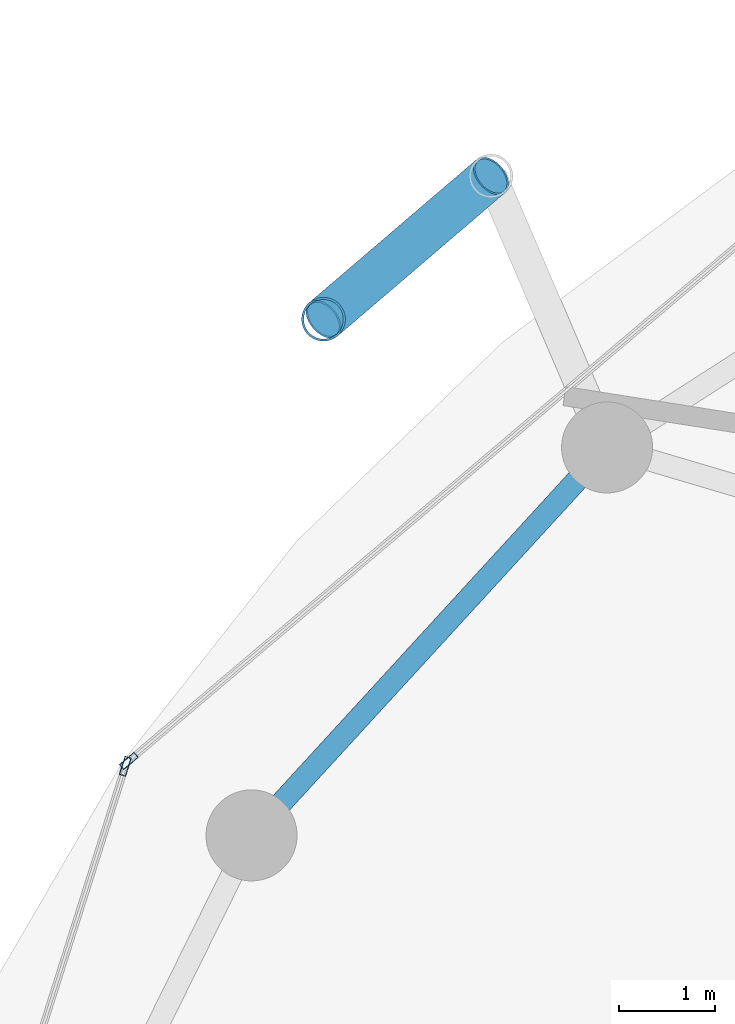
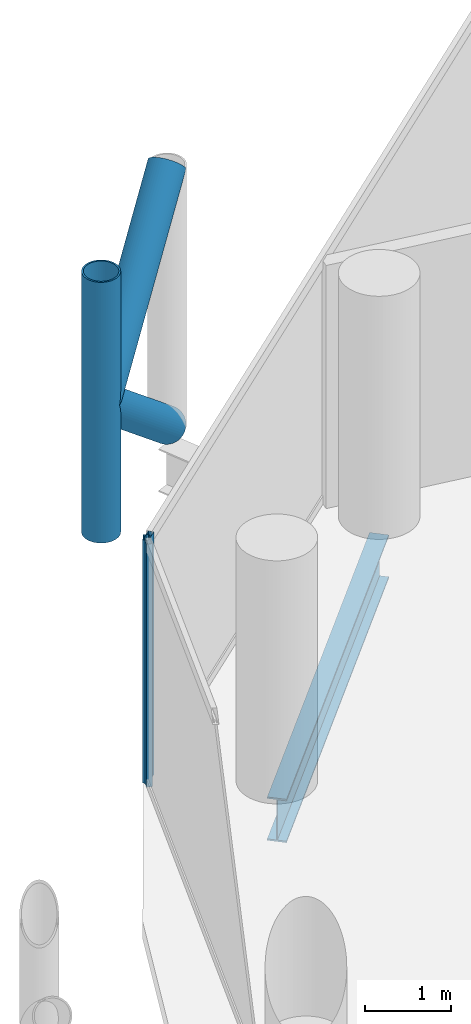
# One storey, part 13 of 26: 5 members, 1 beam, 2 elements without a shape of their own.
"""IFC4 building model written with IfcOpenShell, lengths in metres."""

from ifc_helpers import new_model, si_unit, direction, frame, origin, origin_2d, place, context, subcontext, project, spatial, hollow_rectangle, hollow_circle, i_section, extrude, material, layer, layer_set, material_profile, profile_set, type_object, element, aggregate, save


model = new_model("IFC4")

# Units and contexts
model_context = context("Model", 3, precision=1e-05, world=origin(), true_north=direction((0.0, 1.0)))
body_context = subcontext(model_context, "Body", "Model", "MODEL_VIEW")
ifc_project = project(units=[si_unit("LENGTHUNIT", "METRE"), si_unit("AREAUNIT", "SQUARE_METRE"), si_unit("VOLUMEUNIT", "CUBIC_METRE"), si_unit("PLANEANGLEUNIT", "RADIAN"), si_unit("MASSUNIT", "GRAM", prefix="KILO")], contexts=[model_context])

# Site, building, storey
site_placement = place(None, origin())
site = spatial("IfcSite", under=ifc_project, at=site_placement, CompositionType="ELEMENT")
building_placement = place(site_placement, origin())
building = spatial("IfcBuilding", under=site, at=building_placement, Name="Nuhasar Tower", CompositionType="ELEMENT")
storey_placement = place(building_placement, frame((0.0, 0.0, 140.449951171875)))
storey = spatial("IfcBuildingStorey", under=building, at=storey_placement, Name="L33", CompositionType="ELEMENT", Elevation=140.449951171875)

# Beam
ifc_material_1 = material(Name="Steel S355", Category="steel")
ifc_material_profile_1 = material_profile(ifc_material_1, i_section(OverallWidth=0.22998046875, OverallDepth=0.616943359375, WebThickness=0.01318359375, FlangeThickness=0.022216796875, at=origin_2d()), Name="W24X94")
ifc_profile_set_1 = profile_set([ifc_material_profile_1], Name="Steel S355")
beam_type = type_object("IfcBeamType", Name="BM-RING-W24X94", PredefinedType="SPANDREL", material=ifc_profile_set_1)
beam_placement = place(storey_placement, frame((22.489013671875, 40.6240234375, -0.558837890625), z_axis=(-0.675654174897, -0.737218716491, 0.0), x_axis=(0.737218716491, -0.675654174897, 0.0)))
element("IfcBeam", 1, at=beam_placement, inside=storey, type_object=beam_type, Name="L33 Perimeter Ring Spandrel 10", PredefinedType="SPANDREL", context=body_context, shape_type="SweptSolid", body=[
    extrude(i_section(OverallWidth=0.22998046875, OverallDepth=0.616943359375, WebThickness=0.01318359375, FlangeThickness=0.022216796875, at=origin_2d()), origin(), (0.0, 0.0, 1.0), 5.492431640625),
])

# Curtain wall, member
ifc_material_2 = material(Name="Aluminium 6063-T6", Category="aluminium")
ifc_layer = layer(ifc_material_2, 0.199951171875)
ifc_layer_set = layer_set([ifc_layer], Name="Aluminium 6063-T6")
curtain_wall_type = type_object("IfcCurtainWallType", Name="CW-Z2-HTL", PredefinedType="NOTDEFINED", material=ifc_layer_set)
curtain_wall_1_placement = place(storey_placement, origin())
curtain_wall_1 = element("IfcCurtainWall", 2, at=curtain_wall_1_placement, inside=storey, type_object=curtain_wall_type, Name="L33 Unitised Curtain Wall 05", PredefinedType="NOTDEFINED")
ifc_material_profile_2 = material_profile(ifc_material_2, hollow_rectangle(XDim=0.070068359375, YDim=0.199951171875, WallThickness=0.0048828125, at=origin_2d()), Name="CWM-3")
ifc_profile_set_2 = profile_set([ifc_material_profile_2], Name="Aluminium 6063-T6")
member_type_1 = type_object("IfcMemberType", Name="CW-MUL-S3", PredefinedType="MULLION", material=ifc_profile_set_2)
member_1_placement = place(storey_placement, frame((17.497802734375, 37.3525390625, 0.0), z_axis=(0.0, 0.0, 1.0), x_axis=(0.646374438324, -0.763020370292, 0.0)))
member_1 = element("IfcMember", 3, at=member_1_placement, type_object=member_type_1, Name="CW-Z2 mullion 2", PredefinedType="MULLION", context=body_context, shape_type="SweptSolid", body=[
    extrude(hollow_rectangle(XDim=0.070068359375, YDim=0.199951171875, WallThickness=0.0048828125, at=origin_2d()), origin(), (0.0, 0.0, 1.0), 3.449951171875),
])
aggregate(curtain_wall_1, [member_1])

curtain_wall_2_placement = place(storey_placement, origin())
curtain_wall_2 = element("IfcCurtainWall", 4, at=curtain_wall_2_placement, inside=storey, type_object=curtain_wall_type, Name="L33 Unitised Curtain Wall 06", PredefinedType="NOTDEFINED")
member_2_placement = place(storey_placement, frame((17.46044921875, 37.296630859375, 0.0), z_axis=(0.0, 0.0, 1.0), x_axis=(0.953433389233, -0.301603667577, 0.0)))
member_2 = element("IfcMember", 5, at=member_2_placement, type_object=member_type_1, Name="CW-Z2 mullion 1", PredefinedType="MULLION", context=body_context, shape_type="SweptSolid", body=[
    extrude(hollow_rectangle(XDim=0.070068359375, YDim=0.199951171875, WallThickness=0.0048828125, at=origin_2d()), origin(), (0.0, 0.0, 1.0), 3.449951171875),
])
aggregate(curtain_wall_2, [member_2])

# Members
ifc_material_3 = material(Name="Steel S460", Category="steel")
ifc_material_profile_3 = material_profile(ifc_material_3, hollow_circle(Radius=0.228515625, WallThickness=0.022216796875, at=origin_2d()), Name="HSS457X22.2")
ifc_profile_set_3 = profile_set([ifc_material_profile_3], Name="Steel S460")
member_type_2 = type_object("IfcMemberType", Name="EXO-BRONZE-457", PredefinedType="BRACE", material=ifc_profile_set_3)
member_3_placement = place(storey_placement, frame((19.529052734375, 41.9619140625, 0.0), z_axis=(0.0, 0.0, 1.0), x_axis=(1.0, 0.0, 0.0)))
element("IfcMember", 6, at=member_3_placement, inside=storey, type_object=member_type_2, Name="L33 Exoskeleton Chord Column EC-05B", PredefinedType="BRACE", context=body_context, shape_type="SweptSolid", body=[
    extrude(hollow_circle(Radius=0.228515625, WallThickness=0.022216796875, at=origin_2d()), origin(), (0.0, 0.0, 1.0), 3.699951171875),
])
member_4_placement = place(storey_placement, frame((21.277099609375, 43.45703125, 0.0), z_axis=(-0.592170370358, -0.506487618445, 0.626741210415), x_axis=(0.649986859795, -0.759945446788, 0.0)))
element("IfcMember", 7, at=member_4_placement, inside=storey, type_object=member_type_2, Name="L33 Bronze Diagrid Brace W1-05", PredefinedType="BRACE", context=body_context, shape_type="SweptSolid", body=[
    extrude(hollow_circle(Radius=0.228515625, WallThickness=0.022216796875, at=origin_2d()), origin(), (0.0, 0.0, 1.0), 2.951904296875),
])
member_5_placement = place(storey_placement, frame((19.529052734375, 41.9619140625, 1.85009765625), z_axis=(0.592201065785, 0.506513872468, 0.626690988192), x_axis=(-0.649986859795, 0.759945446788, 0.0)))
element("IfcMember", 8, at=member_5_placement, inside=storey, type_object=member_type_2, Name="L33 Bronze Diagrid Brace W2-05", PredefinedType="BRACE", context=body_context, shape_type="SweptSolid", body=[
    extrude(hollow_circle(Radius=0.228515625, WallThickness=0.022216796875, at=origin_2d()), origin(), (0.0, 0.0, 1.0), 2.95166015625),
])

save(model, "model.ifc")
